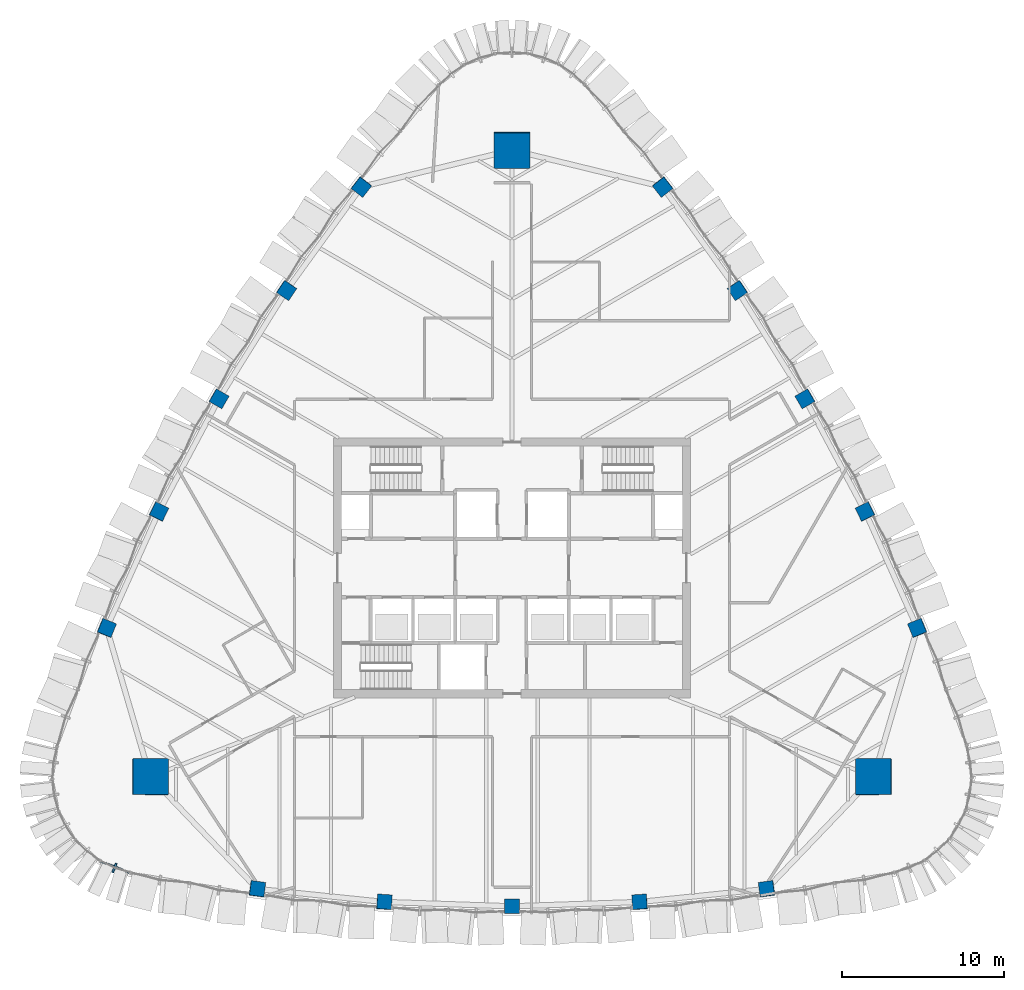
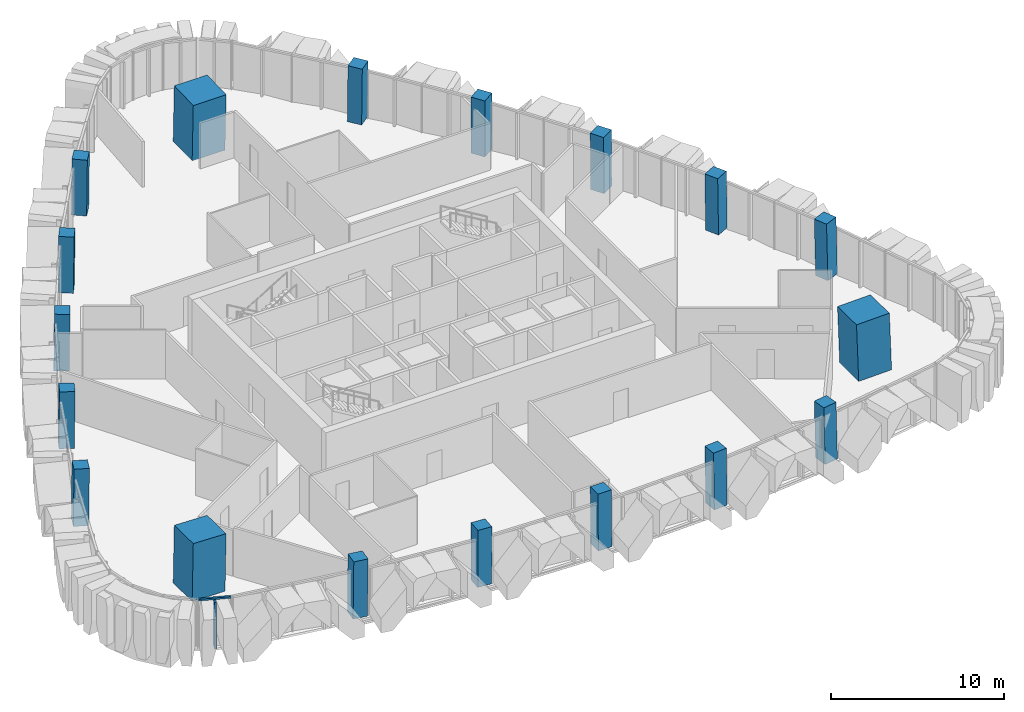
# One storey, part 1 of 19: 18 columns, 2 members, 1 element without a shape of its own.
"""IFC4 building model written with IfcOpenShell, lengths in metres."""

from ifc_helpers import new_model, si_unit, direction, frame, origin, origin_2d, place, context, subcontext, project, spatial, rectangle, extrude, material, layer, layer_set, material_profile, profile_set, type_object, element, aggregate, save


model = new_model("IFC4")

# Units and contexts
model_context = context("Model", 3, precision=1e-05, world=origin(), true_north=direction((0.0, 1.0)))
body_context = subcontext(model_context, "Body", "Model", "MODEL_VIEW")
ifc_project = project(units=[si_unit("LENGTHUNIT", "METRE"), si_unit("AREAUNIT", "SQUARE_METRE"), si_unit("VOLUMEUNIT", "CUBIC_METRE"), si_unit("PLANEANGLEUNIT", "RADIAN"), si_unit("MASSUNIT", "GRAM", prefix="KILO")], contexts=[model_context])

# Site, building, storey
site_placement = place(None, origin())
site = spatial("IfcSite", under=ifc_project, at=site_placement, CompositionType="ELEMENT")
building_placement = place(site_placement, origin())
building = spatial("IfcBuilding", under=site, at=building_placement, Name="Sierra Prisma Convention Tower", CompositionType="ELEMENT")
storey_placement = place(building_placement, frame((0.0, 0.0, 231.0)))
storey = spatial("IfcBuildingStorey", under=building, at=storey_placement, Name="L51", CompositionType="ELEMENT", Elevation=231.0)

# Columns
ifc_material_1 = material(Name="Concrete C50/60", Category="concrete")
ifc_material_profile_1 = material_profile(ifc_material_1, rectangle(XDim=2.199951171875, YDim=2.199951171875, at=origin_2d()), Name="Mega column RC 2200 C50/60")
ifc_profile_set_1 = profile_set([ifc_material_profile_1], Name="Concrete C50/60")
column_type_1 = type_object("IfcColumnType", Name="Mega column RC 2200 C50/60", PredefinedType="COLUMN", material=ifc_profile_set_1)
column_1_placement = place(storey_placement, frame((22.29248046875, -12.87060546875, 0.0), z_axis=(-0.027878605886, 0.016104927689, 0.999481572936), x_axis=(0.999611316129, 0.000449157512, 0.02787498742)))
element("IfcColumn", 1, at=column_1_placement, inside=storey, type_object=column_type_1, Name="Mega column SE L51", PredefinedType="COLUMN", context=body_context, shape_type="SweptSolid", body=[
    extrude(rectangle(XDim=2.199951171875, YDim=2.199951171875, at=origin_2d()), origin(), (0.0, 0.0, 1.0), 4.001953125),
])
column_2_placement = place(storey_placement, frame((0.0, 25.7412109375, 0.0), z_axis=(0.0, -0.032209841054, 0.999481128456), x_axis=(1.0, 0.0, 0.0)))
element("IfcColumn", 2, at=column_2_placement, inside=storey, type_object=column_type_1, Name="Mega column N L51", PredefinedType="COLUMN", context=body_context, shape_type="SweptSolid", body=[
    extrude(rectangle(XDim=2.199951171875, YDim=2.199951171875, at=origin_2d()), origin(), (0.0, 0.0, 1.0), 4.002197265625),
])
column_3_placement = place(storey_placement, frame((-22.29248046875, -12.87060546875, 0.0), z_axis=(0.027878605886, 0.016104927689, 0.999481572936), x_axis=(0.999611316129, -0.000449157512, -0.02787498742)))
element("IfcColumn", 3, at=column_3_placement, inside=storey, type_object=column_type_1, Name="Mega column SW L51", PredefinedType="COLUMN", context=body_context, shape_type="SweptSolid", body=[
    extrude(rectangle(XDim=2.199951171875, YDim=2.199951171875, at=origin_2d()), origin(), (0.0, 0.0, 1.0), 4.001953125),
])
ifc_material_2 = material(Name="Concrete C50/60", Category="concrete")
ifc_material_profile_2 = material_profile(ifc_material_2, rectangle(XDim=0.89990234375, YDim=0.89990234375, at=origin_2d()), Name="Perimeter column RC 900 C50/60")
ifc_profile_set_2 = profile_set([ifc_material_profile_2], Name="Concrete C50/60")
column_type_2 = type_object("IfcColumnType", Name="Perimeter column RC 900 C50/60", PredefinedType="COLUMN", material=ifc_profile_set_2)
column_4_placement = place(storey_placement, frame((-15.69189453125, -19.77197265625, 0.0), z_axis=(0.017574453011, 0.010434831475, 0.999791104628), x_axis=(-0.990574210989, 0.13604032423, 0.015992582844)))
element("IfcColumn", 4, at=column_4_placement, inside=storey, type_object=column_type_2, Name="Perimeter column S-1 L51", PredefinedType="COLUMN", context=body_context, shape_type="SweptSolid", body=[
    extrude(rectangle(XDim=0.89990234375, YDim=0.89990234375, at=origin_2d()), origin(), (0.0, 0.0, 1.0), 4.000732421875),
])
column_5_placement = place(storey_placement, frame((-7.8642578125, -20.57470703125, 0.0), z_axis=(0.008788174922, 0.01116830563, 0.999899013366), x_axis=(-0.997640525567, 0.068185585075, 0.008006730567)))
element("IfcColumn", 5, at=column_5_placement, inside=storey, type_object=column_type_2, Name="Perimeter column S-2 L51", PredefinedType="COLUMN", context=body_context, shape_type="SweptSolid", body=[
    extrude(rectangle(XDim=0.89990234375, YDim=0.89990234375, at=origin_2d()), origin(), (0.0, 0.0, 1.0), 4.00048828125),
])
column_6_placement = place(storey_placement, frame((0.0, -20.843017578125, 0.0), z_axis=(0.0, 0.011473854038, 0.99993417317), x_axis=(1.0, 0.0, 0.0)))
element("IfcColumn", 6, at=column_6_placement, inside=storey, type_object=column_type_2, Name="Perimeter column S-3 L51", PredefinedType="COLUMN", context=body_context, shape_type="SweptSolid", body=[
    extrude(rectangle(XDim=0.89990234375, YDim=0.89990234375, at=origin_2d()), origin(), (0.0, 0.0, 1.0), 4.000244140625),
])
column_7_placement = place(storey_placement, frame((7.8642578125, -20.57470703125, 0.0), z_axis=(-0.008788174922, 0.01116830563, 0.999899013366), x_axis=(0.997640525567, 0.068185585075, 0.008006730567)))
element("IfcColumn", 7, at=column_7_placement, inside=storey, type_object=column_type_2, Name="Perimeter column S-4 L51", PredefinedType="COLUMN", context=body_context, shape_type="SweptSolid", body=[
    extrude(rectangle(XDim=0.89990234375, YDim=0.89990234375, at=origin_2d()), origin(), (0.0, 0.0, 1.0), 4.00048828125),
])
for number, where, z_axis, x_axis, name in (
    (8, (15.69189453125, -19.77197265625, 0.0), (-0.017574453011, 0.010434831475, 0.999791104628), (0.990574210989, 0.13604032423, 0.015992582844), "Perimeter column S-5 L51"),
    (9, (24.968994140625, -3.70361328125, 0.0), (-0.017818543466, 0.010007675097, 0.999791151165), (-0.37764023014, 0.925814200458, -0.015997587651), "Perimeter column NE-1 L51"),
):
    element("IfcColumn", number, at=place(storey_placement, frame(where, z_axis=z_axis, x_axis=x_axis)), inside=storey, type_object=column_type_2, Name=name, PredefinedType="COLUMN", context=body_context, shape_type="SweptSolid", body=[
        extrude(rectangle(XDim=0.89990234375, YDim=0.89990234375, at=origin_2d()), origin(), (0.0, 0.0, 1.0), 4.000732421875),
    ])
column_8_placement = place(storey_placement, frame((21.75048828125, 3.476806640625, 0.0), z_axis=(-0.014097691364, 0.002013955909, 0.999898594398), x_axis=(-0.439826491839, 0.898047046282, -0.008009977548)))
element("IfcColumn", 10, at=column_8_placement, inside=storey, type_object=column_type_2, Name="Perimeter column NE-2 L51", PredefinedType="COLUMN", context=body_context, shape_type="SweptSolid", body=[
    extrude(rectangle(XDim=0.89990234375, YDim=0.89990234375, at=origin_2d()), origin(), (0.0, 0.0, 1.0), 4.00048828125),
])
column_9_placement = place(storey_placement, frame((18.05029296875, 10.42138671875, 0.0), z_axis=(-0.009826027463, -0.005675904062, 0.999935614576), x_axis=(-0.499975861713, 0.866039339578, 2.779837e-06)))
element("IfcColumn", 11, at=column_9_placement, inside=storey, type_object=column_type_2, Name="Perimeter column NE-3 L51", PredefinedType="COLUMN", context=body_context, shape_type="SweptSolid", body=[
    extrude(rectangle(XDim=0.89990234375, YDim=0.89990234375, at=origin_2d()), origin(), (0.0, 0.0, 1.0), 4.000244140625),
])
column_10_placement = place(storey_placement, frame((13.88623046875, 17.097900390625, 0.0), z_axis=(-0.005309522349, -0.013182262383, 0.999899013366), x_axis=(-0.557800985045, 0.829936375427, 0.007979588098)))
element("IfcColumn", 12, at=column_10_placement, inside=storey, type_object=column_type_2, Name="Perimeter column NE-4 L51", PredefinedType="COLUMN", context=body_context, shape_type="SweptSolid", body=[
    extrude(rectangle(XDim=0.89990234375, YDim=0.89990234375, at=origin_2d()), origin(), (0.0, 0.0, 1.0), 4.00048828125),
])
for number, where, z_axis, x_axis, name in (
    (13, (9.277099609375, 23.4755859375, 0.0), (-0.000305111995, -0.020442503633, 0.999790983632), (-0.61302699807, 0.789900661721, 0.015963841961), "Perimeter column NE-5 L51"),
    (14, (-9.277099609375, 23.4755859375, 0.0), (0.000305111995, -0.020442503633, 0.999790983632), (0.61302699807, 0.789900661721, 0.015963841961), "Perimeter column NW-1 L51"),
):
    element("IfcColumn", number, at=place(storey_placement, frame(where, z_axis=z_axis, x_axis=x_axis)), inside=storey, type_object=column_type_2, Name=name, PredefinedType="COLUMN", context=body_context, shape_type="SweptSolid", body=[
        extrude(rectangle(XDim=0.89990234375, YDim=0.89990234375, at=origin_2d()), origin(), (0.0, 0.0, 1.0), 4.000732421875),
    ])
column_11_placement = place(storey_placement, frame((-13.88623046875, 17.097900390625, 0.0), z_axis=(0.005309522349, -0.013182262383, 0.999899013366), x_axis=(0.557800985045, 0.829936375427, 0.007979588098)))
element("IfcColumn", 15, at=column_11_placement, inside=storey, type_object=column_type_2, Name="Perimeter column NW-2 L51", PredefinedType="COLUMN", context=body_context, shape_type="SweptSolid", body=[
    extrude(rectangle(XDim=0.89990234375, YDim=0.89990234375, at=origin_2d()), origin(), (0.0, 0.0, 1.0), 4.00048828125),
])
column_12_placement = place(storey_placement, frame((-18.05029296875, 10.42138671875, 0.0), z_axis=(0.009826027463, -0.005675904062, 0.999935614576), x_axis=(0.499975861713, 0.866039339578, 2.779837e-06)))
element("IfcColumn", 16, at=column_12_placement, inside=storey, type_object=column_type_2, Name="Perimeter column NW-3 L51", PredefinedType="COLUMN", context=body_context, shape_type="SweptSolid", body=[
    extrude(rectangle(XDim=0.89990234375, YDim=0.89990234375, at=origin_2d()), origin(), (0.0, 0.0, 1.0), 4.000244140625),
])
column_13_placement = place(storey_placement, frame((-21.75048828125, 3.476806640625, 0.0), z_axis=(0.014097691364, 0.002013955909, 0.999898594398), x_axis=(0.439826491839, 0.898047046282, -0.008009977548)))
element("IfcColumn", 17, at=column_13_placement, inside=storey, type_object=column_type_2, Name="Perimeter column NW-4 L51", PredefinedType="COLUMN", context=body_context, shape_type="SweptSolid", body=[
    extrude(rectangle(XDim=0.89990234375, YDim=0.89990234375, at=origin_2d()), origin(), (0.0, 0.0, 1.0), 4.00048828125),
])
column_14_placement = place(storey_placement, frame((-24.968994140625, -3.70361328125, 0.0), z_axis=(0.017818543466, 0.010007675097, 0.999791151165), x_axis=(0.37764023014, 0.925814200458, -0.015997587651)))
element("IfcColumn", 18, at=column_14_placement, inside=storey, type_object=column_type_2, Name="Perimeter column NW-5 L51", PredefinedType="COLUMN", context=body_context, shape_type="SweptSolid", body=[
    extrude(rectangle(XDim=0.89990234375, YDim=0.89990234375, at=origin_2d()), origin(), (0.0, 0.0, 1.0), 4.000732421875),
])

# Curtain wall, members
ifc_material_3 = material(Name="Aluminium and glass curtain wall", Category="aluminium")
ifc_layer = layer(ifc_material_3, 0.179931640625)
ifc_layer_set = layer_set([ifc_layer], Name="CW-2 Faceted crystal curtain wall")
curtain_wall_type = type_object("IfcCurtainWallType", Name="CW-2 Faceted crystal curtain wall", PredefinedType="NOTDEFINED", material=ifc_layer_set)
curtain_wall_placement = place(storey_placement, origin())
curtain_wall = element("IfcCurtainWall", 19, at=curtain_wall_placement, inside=storey, type_object=curtain_wall_type, Name="CW-2 SW5 L51", PredefinedType="NOTDEFINED")
ifc_material_4 = material(Name="Aluminium 6063-T6 bronze anodised", Category="aluminium")
ifc_material_profile_3 = material_profile(ifc_material_4, rectangle(XDim=0.1201171875, YDim=0.60009765625, at=origin_2d()), Name="ALU RIDGE BLADE 120x600")
ifc_profile_set_3 = profile_set([ifc_material_profile_3], Name="Aluminium 6063-T6 bronze anodised")
member_type_1 = type_object("IfcMemberType", Name="CW hip bronze", PredefinedType="MULLION", material=ifc_profile_set_3)
member_1_placement = place(storey_placement, frame((-24.48779296875, -18.480712890625, 0.0), z_axis=(0.0, 0.0, 1.0), x_axis=(0.931243906009, -0.364396470236, 0.0)))
member_1 = element("IfcMember", 20, at=member_1_placement, type_object=member_type_1, Name="CW-2 ridge SW5.1", PredefinedType="MULLION", context=body_context, shape_type="SweptSolid", body=[
    extrude(rectangle(XDim=0.1201171875, YDim=0.60009765625, at=origin_2d()), origin(), (0.0, 0.0, 1.0), 3.280029296875),
])
ifc_material_5 = material(Name="Aluminium 6063-T6 bronze anodised", Category="aluminium")
ifc_material_profile_4 = material_profile(ifc_material_5, rectangle(XDim=0.139892578125, YDim=0.1201171875, at=origin_2d()), Name="ALU TRANSOM 120x140")
ifc_profile_set_4 = profile_set([ifc_material_profile_4], Name="Aluminium 6063-T6 bronze anodised")
member_type_2 = type_object("IfcMemberType", Name="CW transom bronze", PredefinedType="USERDEFINED", material=ifc_profile_set_4)
member_2_placement = place(storey_placement, frame((-25.33837890625, -18.068115234375, 3.340087890625), z_axis=(0.931219847165, -0.364457948529, 0.0), x_axis=(0.364457948529, 0.931219847165, 0.0)))
member_2 = element("IfcMember", 21, at=member_2_placement, type_object=member_type_2, Name="CW-1 transom SW5.1", ObjectType="TRANSOM", PredefinedType="USERDEFINED", context=body_context, shape_type="SweptSolid", body=[
    extrude(rectangle(XDim=0.139892578125, YDim=0.1201171875, at=origin_2d()), origin(), (0.0, 0.0, 1.0), 1.885009765625),
])
aggregate(curtain_wall, [member_2, member_1])

save(model, "model.ifc")
